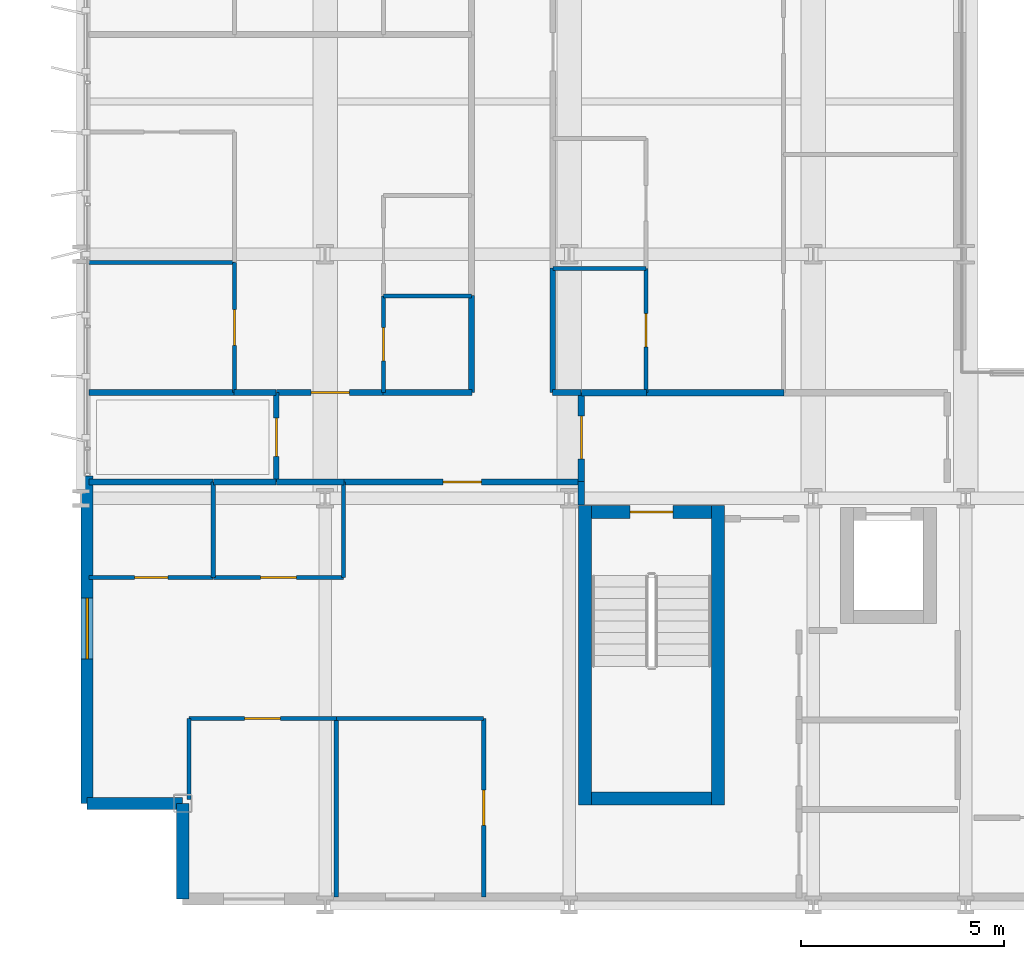
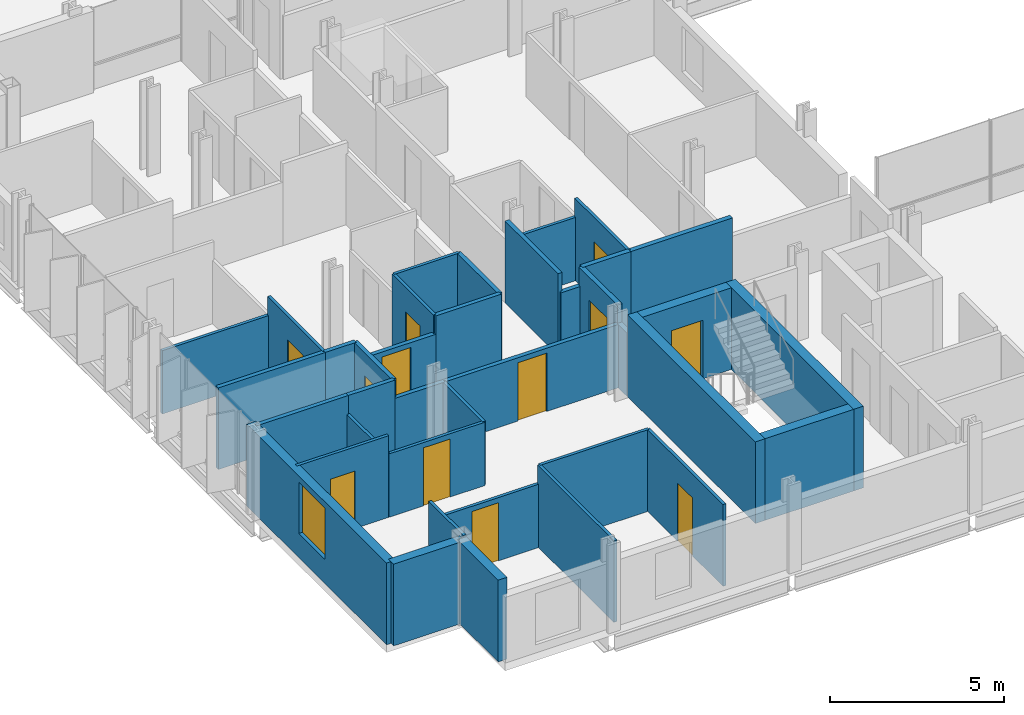
# One storey, part 27 of 38: 38 walls, 12 doors, 1 window, 13 openings.
"""IFC4 building model written with IfcOpenShell, lengths in metres."""

from ifc_helpers import new_model, si_unit, direction, frame, frame_2d, origin, place, context, subcontext, project, spatial, rectangle, extrude, material, layer, layer_set, type_object, element, fill, save


model = new_model("IFC4")

# Units and contexts
model_context = context("Model", 3, precision=1e-05, world=origin(), true_north=direction((0.0, 1.0)))
body_context = subcontext(model_context, "Body", "Model", "MODEL_VIEW")
ifc_project = project(units=[si_unit("LENGTHUNIT", "METRE"), si_unit("AREAUNIT", "SQUARE_METRE"), si_unit("VOLUMEUNIT", "CUBIC_METRE"), si_unit("PLANEANGLEUNIT", "RADIAN"), si_unit("MASSUNIT", "GRAM", prefix="KILO")], contexts=[model_context])

# Site, building, storey
site_placement = place(None, origin())
site = spatial("IfcSite", under=ifc_project, at=site_placement, CompositionType="ELEMENT")
building_placement = place(site_placement, origin())
building = spatial("IfcBuilding", under=site, at=building_placement, Name="Brevholm Reach", CompositionType="ELEMENT")
storey_placement = place(building_placement, frame((0.0, 0.0, 28.0)))
storey = spatial("IfcBuildingStorey", under=building, at=storey_placement, Name="L06", CompositionType="ELEMENT", Elevation=28.0)

# Walls
ifc_material_1 = material(Name="Concrete C60/75", Category="concrete")
ifc_layer_1 = layer(ifc_material_1, 0.320068359375)
ifc_layer_set_1 = layer_set([ifc_layer_1], Name="Concrete C60/75")
wall_type_1 = type_object("IfcWallType", Name="WAL-COR-320", PredefinedType="SHEAR", material=ifc_layer_set_1)
for number, where, z_axis, x_axis, name in (
    (1, (12.389892578125, 2.4599609375, 0.0), (0.0, 0.0, 1.0), (0.0, 1.0, 0.0), "L06 Escape Stair ST-1 Core Wall W"),
    (2, (15.659912109375, 2.4599609375, 0.0), (0.0, 0.0, 1.0), (0.0, 1.0, 0.0), "L06 Escape Stair ST-1 Core Wall E"),
):
    element("IfcWall", number, at=place(storey_placement, frame(where, z_axis=z_axis, x_axis=x_axis)), inside=storey, type_object=wall_type_1, Name=name, PredefinedType="SHEAR", context=body_context, shape_type="SweptSolid", body=[
        extrude(rectangle(XDim=7.360107421875, YDim=0.320068359375, at=frame_2d((3.68017578125, 0.0))), origin(), (0.0, 0.0, 1.0), 2.8701171875),
    ])
wall_1_placement = place(storey_placement, frame((12.550048828125, 2.6201171875, 0.0), z_axis=(0.0, 0.0, 1.0), x_axis=(1.0, 0.0, 0.0)))
element("IfcWall", 3, at=wall_1_placement, inside=storey, type_object=wall_type_1, Name="L06 Escape Stair ST-1 Core Wall S", PredefinedType="SHEAR", context=body_context, shape_type="SweptSolid", body=[
    extrude(rectangle(XDim=2.949951171875, YDim=0.320068359375, at=frame_2d((1.47509765625, 0.0))), origin(), (0.0, 0.0, 1.0), 2.8701171875),
])

# Wall, opening, door
wall_2_placement = place(storey_placement, frame((15.5, 9.659912109375, 0.0), z_axis=(0.0, 0.0, 1.0), x_axis=(-1.0, 0.0, 0.0)))
wall_2 = element("IfcWall", 4, at=wall_2_placement, inside=storey, type_object=wall_type_1, Name="L06 Escape Stair ST-1 Core Wall N", PredefinedType="SHEAR", context=body_context, shape_type="SweptSolid", body=[
    extrude(rectangle(XDim=2.949951171875, YDim=0.320068359375, at=frame_2d((1.47509765625, 0.0))), origin(), (0.0, 0.0, 1.0), 2.8701171875),
])
opening_1_placement = place(wall_2_placement, frame((0.949951171875, 0.0, 0.0)))
opening_1 = element("IfcOpeningElement", 5, at=opening_1_placement, cuts=wall_2, Name="Opening SD-ST-1", PredefinedType="OPENING", context=body_context, shape_type="SweptSolid", body=[
    extrude(rectangle(XDim=1.050048828125, YDim=2.06005859375, at=frame_2d((0.52490234375, 1.030029296875))), frame((0.0, 0.169921875, 0.0), z_axis=(0.0, -1.0, 0.0), x_axis=(1.0, 0.0, 0.0)), (0.0, 0.0, 1.0), 0.340087890625),
])
ifc_material_2 = material(Name="Hardwood-Lipped Steel-Core Fire and Smoke Door", Category="steel")
door_type_1 = type_object("IfcDoorType", Name="DOR-INT-FD60S", OperationType="NOTDEFINED", PredefinedType="DOOR", material=ifc_material_2)
door_1_placement = place(opening_1_placement, origin())
door_1 = element("IfcDoor", 6, at=door_1_placement, inside=storey, type_object=door_type_1, Name="L06 Protected Stair ST-1 Lobby Door", OperationType="SINGLE_SWING_RIGHT", OverallHeight=2.06005859375, OverallWidth=1.050048828125, PredefinedType="DOOR", context=body_context, shape_type="SweptSolid", body=[
    extrude(rectangle(XDim=1.050048828125, YDim=2.06005859375, at=frame_2d((0.52490234375, 1.030029296875))), frame((0.0, 0.02490234375, 0.0), z_axis=(0.0, -1.0, 0.0), x_axis=(1.0, 0.0, 0.0)), (0.0, 0.0, 1.0), 0.050048828125),
])
fill(opening_1, door_1)

# Walls
ifc_material_3 = material(Name="Concrete C40/50", Category="concrete")
ifc_layer_2 = layer(ifc_material_3, 0.300048828125)
ifc_layer_set_2 = layer_set([ifc_layer_2], Name="Concrete C40/50")
wall_type_2 = type_object("IfcWallType", Name="WAL-EXT-300", PredefinedType="STANDARD", material=ifc_layer_set_2)
for number, where, z_axis, x_axis, name in (
    (7, (2.5, 2.5, 0.0), (0.0, 0.0, 1.0), (0.0, -1.0, 0.0), "L06 Facade Wall WAL-L06-CSW1"),
    (8, (0.14990234375, 2.5, 0.0), (0.0, 0.0, 1.0), (1.0, 0.0, 0.0), "L06 Facade Wall WAL-L06-CSW2"),
):
    element("IfcWall", number, at=place(storey_placement, frame(where, z_axis=z_axis, x_axis=x_axis)), inside=storey, type_object=wall_type_2, Name=name, PredefinedType="STANDARD", context=body_context, shape_type="SweptSolid", body=[
        extrude(rectangle(XDim=2.35009765625, YDim=0.300048828125, at=frame_2d((1.175048828125, 0.0))), origin(), (0.0, 0.0, 1.0), 2.8701171875),
    ])

# Wall, opening, window
wall_3_placement = place(storey_placement, frame((0.14990234375, 10.550048828125, 0.0), z_axis=(0.0, 0.0, 1.0), x_axis=(0.0, -1.0, 0.0)))
wall_3 = element("IfcWall", 9, at=wall_3_placement, inside=storey, type_object=wall_type_2, Name="L06 Facade Wall WAL-L06-W-S", PredefinedType="STANDARD", context=body_context, shape_type="SweptSolid", body=[
    extrude(rectangle(XDim=8.050048828125, YDim=0.300048828125, at=frame_2d((4.02490234375, 0.0))), origin(), (0.0, 0.0, 1.0), 2.8701171875),
])
opening_2_placement = place(wall_3_placement, frame((3.0, 0.0, 0.85009765625)))
opening_2 = element("IfcOpeningElement", 10, at=opening_2_placement, cuts=wall_3, Name="Opening WN-05", PredefinedType="OPENING", context=body_context, shape_type="SweptSolid", body=[
    extrude(rectangle(XDim=1.5, YDim=1.800048828125, at=frame_2d((0.75, 0.89990234375))), frame((0.0, 0.159912109375, 0.0), z_axis=(0.0, -1.0, 0.0), x_axis=(1.0, 0.0, 0.0)), (0.0, 0.0, 1.0), 0.320068359375),
])
ifc_material_4 = material(Name="Dark Anodised Aluminium and Solar-Control IGU Glass", Category="aluminium")
window_type = type_object("IfcWindowType", Name="WIN-RES-1500", PartitioningType="SINGLE_PANEL", PredefinedType="WINDOW", material=ifc_material_4)
window_placement = place(opening_2_placement, origin())
window = element("IfcWindow", 11, at=window_placement, inside=storey, type_object=window_type, Name="L06 Window WIN-L06-WS-1", OverallHeight=1.800048828125, OverallWidth=1.5, PartitioningType="SINGLE_PANEL", PredefinedType="WINDOW", context=body_context, shape_type="SweptSolid", body=[
    extrude(rectangle(XDim=1.5, YDim=1.800048828125, at=frame_2d((0.75, 0.89990234375))), frame((0.0, 0.030029296875, 0.0), z_axis=(0.0, -1.0, 0.0), x_axis=(1.0, 0.0, 0.0)), (0.0, 0.0, 1.0), 0.06005859375),
])
fill(opening_2, window)

# Wall
ifc_material_5 = material(Name="Moisture-Resistant Acoustic Gypsum Stud Partition 100 mm", Category="gypsum")
ifc_layer_3 = layer(ifc_material_5, 0.10009765625)
ifc_layer_set_3 = layer_set([ifc_layer_3], Name="Moisture-Resistant Acoustic Gypsum Stud Partition 100 mm")
wall_type_3 = type_object("IfcWallType", Name="WAL-PRT-100", PredefinedType="PARTITIONING", material=ifc_layer_set_3)
wall_4_placement = place(storey_placement, frame((3.25, 8.053955078125, 0.0), z_axis=(0.0, 0.0, 1.0), x_axis=(0.0, 1.0, 0.0)))
element("IfcWall", 12, at=wall_4_placement, inside=storey, type_object=wall_type_3, Name="L06 Internal Partition 066", PredefinedType="PARTITIONING", context=body_context, shape_type="SweptSolid", body=[
    extrude(rectangle(XDim=2.345947265625, YDim=0.10009765625, at=frame_2d((1.1728515625, 0.0))), origin(), (0.0, 0.0, 1.0), 2.224853515625),
])

# Wall, opening, door
wall_5_placement = place(storey_placement, frame((0.199951171875, 8.053955078125, 0.0), z_axis=(0.0, 0.0, 1.0), x_axis=(1.0, 0.0, 0.0)))
wall_5 = element("IfcWall", 13, at=wall_5_placement, inside=storey, type_object=wall_type_3, Name="L06 Internal Partition 067", PredefinedType="PARTITIONING", context=body_context, shape_type="SweptSolid", body=[
    extrude(rectangle(XDim=3.050048828125, YDim=0.10009765625, at=frame_2d((1.52490234375, 0.0))), origin(), (0.0, 0.0, 1.0), 2.8701171875),
])
opening_3_placement = place(wall_5_placement, frame((1.114990234375, 0.0, 0.0)))
opening_3 = element("IfcOpeningElement", 14, at=opening_3_placement, cuts=wall_5, Name="Opening ID-03", PredefinedType="OPENING", context=body_context, shape_type="SweptSolid", body=[
    extrude(rectangle(XDim=0.820068359375, YDim=2.02001953125, at=frame_2d((0.41015625, 1.010009765625))), frame((0.0, 0.06005859375, 0.0), z_axis=(0.0, -1.0, 0.0), x_axis=(1.0, 0.0, 0.0)), (0.0, 0.0, 1.0), 0.1201171875),
])
ifc_material_6 = material(Name="Moisture-Resistant Painted Timber Internal Bathroom Door", Category="wood")
door_type_2 = type_object("IfcDoorType", Name="DOR-BATH-820", OperationType="NOTDEFINED", PredefinedType="DOOR", material=ifc_material_6)
door_2_placement = place(opening_3_placement, origin())
door_2 = element("IfcDoor", 15, at=door_2_placement, inside=storey, type_object=door_type_2, Name="L06 Internal Door 024", OperationType="SINGLE_SWING_LEFT", OverallHeight=2.02001953125, OverallWidth=0.820068359375, PredefinedType="DOOR", context=body_context, shape_type="SweptSolid", body=[
    extrude(rectangle(XDim=0.820068359375, YDim=2.02001953125, at=frame_2d((0.41015625, 1.010009765625))), frame((0.0, 0.02490234375, 0.0), z_axis=(0.0, -1.0, 0.0), x_axis=(1.0, 0.0, 0.0)), (0.0, 0.0, 1.0), 0.050048828125),
])
fill(opening_3, door_2)

wall_6_placement = place(storey_placement, frame((3.25390625, 8.053955078125, 0.0), z_axis=(0.0, 0.0, 1.0), x_axis=(1.0, 0.0, 0.0)))
wall_6 = element("IfcWall", 16, at=wall_6_placement, inside=storey, type_object=wall_type_3, Name="L06 Internal Partition 069", PredefinedType="PARTITIONING", context=body_context, shape_type="SweptSolid", body=[
    extrude(rectangle(XDim=3.196044921875, YDim=0.10009765625, at=frame_2d((1.59814453125, 0.0))), origin(), (0.0, 0.0, 1.0), 2.224853515625),
])
opening_4_placement = place(wall_6_placement, frame((1.157958984375, 0.0, 0.0)))
opening_4 = element("IfcOpeningElement", 17, at=opening_4_placement, cuts=wall_6, Name="Opening ID-01", PredefinedType="OPENING", context=body_context, shape_type="SweptSolid", body=[
    extrude(rectangle(XDim=0.8798828125, YDim=2.0400390625, at=frame_2d((0.43994140625, 1.02001953125))), frame((0.0, 0.06005859375, 0.0), z_axis=(0.0, -1.0, 0.0), x_axis=(1.0, 0.0, 0.0)), (0.0, 0.0, 1.0), 0.1201171875),
])
ifc_material_7 = material(Name="Lacquered Ash Solid-Core Acoustic Internal Door", Category="timber")
door_type_3 = type_object("IfcDoorType", Name="DOR-INT-880", OperationType="NOTDEFINED", PredefinedType="DOOR", material=ifc_material_7)
door_3_placement = place(opening_4_placement, origin())
door_3 = element("IfcDoor", 18, at=door_3_placement, inside=storey, type_object=door_type_3, Name="L06 Internal Door 025", OperationType="SINGLE_SWING_RIGHT", OverallHeight=2.0400390625, OverallWidth=0.8798828125, PredefinedType="DOOR", context=body_context, shape_type="SweptSolid", body=[
    extrude(rectangle(XDim=0.8798828125, YDim=2.0400390625, at=frame_2d((0.43994140625, 1.02001953125))), frame((0.0, 0.02490234375, 0.0), z_axis=(0.0, -1.0, 0.0), x_axis=(1.0, 0.0, 0.0)), (0.0, 0.0, 1.0), 0.050048828125),
])
fill(opening_4, door_3)

# Walls
wall_7_placement = place(storey_placement, frame((6.449951171875, 8.053955078125, 0.0), z_axis=(0.0, 0.0, 1.0), x_axis=(0.0, 1.0, 0.0)))
element("IfcWall", 19, at=wall_7_placement, inside=storey, type_object=wall_type_3, Name="L06 Internal Partition 070", PredefinedType="PARTITIONING", context=body_context, shape_type="SweptSolid", body=[
    extrude(rectangle(XDim=2.342041015625, YDim=0.10009765625, at=frame_2d((1.1708984375, 0.0))), origin(), (0.0, 0.0, 1.0), 2.224853515625),
])
wall_8_placement = place(storey_placement, frame((6.27490234375, 0.199951171875, 0.0), z_axis=(0.0, 0.0, 1.0), x_axis=(0.0, 1.0, 0.0)))
element("IfcWall", 20, at=wall_8_placement, inside=storey, type_object=wall_type_3, Name="L06 Internal Partition 072", PredefinedType="PARTITIONING", context=body_context, shape_type="SweptSolid", body=[
    extrude(rectangle(XDim=4.385986328125, YDim=0.10009765625, at=frame_2d((2.19287109375, 0.0))), origin(), (0.0, 0.0, 1.0), 2.8701171875),
])
wall_9_placement = place(storey_placement, frame((2.64990234375, 2.599365234375, 0.0), z_axis=(0.0, 0.0, 1.0), x_axis=(0.0, 1.0, 0.0)))
element("IfcWall", 21, at=wall_9_placement, inside=storey, type_object=wall_type_3, Name="L06 Internal Partition 073", PredefinedType="PARTITIONING", context=body_context, shape_type="SweptSolid", body=[
    extrude(rectangle(XDim=1.986572265625, YDim=0.10009765625, at=frame_2d((0.9931640625, 0.0))), origin(), (0.0, 0.0, 1.0), 2.8701171875),
])

# Wall, opening, door
wall_10_placement = place(storey_placement, frame((2.64990234375, 4.5859375, 0.0), z_axis=(0.0, 0.0, 1.0), x_axis=(1.0, 0.0, 0.0)))
wall_10 = element("IfcWall", 22, at=wall_10_placement, inside=storey, type_object=wall_type_3, Name="L06 Internal Partition 074", PredefinedType="PARTITIONING", context=body_context, shape_type="SweptSolid", body=[
    extrude(rectangle(XDim=3.625, YDim=0.10009765625, at=frame_2d((1.8125, 0.0))), origin(), (0.0, 0.0, 1.0), 2.224853515625),
])
opening_5_placement = place(wall_10_placement, frame((1.37255859375, 0.0, 0.0)))
opening_5 = element("IfcOpeningElement", 23, at=opening_5_placement, cuts=wall_10, Name="Opening ID-01", PredefinedType="OPENING", context=body_context, shape_type="SweptSolid", body=[
    extrude(rectangle(XDim=0.8798828125, YDim=2.0400390625, at=frame_2d((0.43994140625, 1.02001953125))), frame((0.0, 0.06005859375, 0.0), z_axis=(0.0, -1.0, 0.0), x_axis=(1.0, 0.0, 0.0)), (0.0, 0.0, 1.0), 0.1201171875),
])
door_4_placement = place(opening_5_placement, origin())
door_4 = element("IfcDoor", 24, at=door_4_placement, inside=storey, type_object=door_type_3, Name="L06 Internal Door 026", OperationType="SINGLE_SWING_LEFT", OverallHeight=2.0400390625, OverallWidth=0.8798828125, PredefinedType="DOOR", context=body_context, shape_type="SweptSolid", body=[
    extrude(rectangle(XDim=0.8798828125, YDim=2.0400390625, at=frame_2d((0.43994140625, 1.02001953125))), frame((0.0, 0.02490234375, 0.0), z_axis=(0.0, -1.0, 0.0), x_axis=(1.0, 0.0, 0.0)), (0.0, 0.0, 1.0), 0.050048828125),
])
fill(opening_5, door_4)

wall_11_placement = place(storey_placement, frame((9.89990234375, 0.199951171875, 0.0), z_axis=(0.0, 0.0, 1.0), x_axis=(0.0, 1.0, 0.0)))
wall_11 = element("IfcWall", 25, at=wall_11_placement, inside=storey, type_object=wall_type_3, Name="L06 Internal Partition 075", PredefinedType="PARTITIONING", context=body_context, shape_type="SweptSolid", body=[
    extrude(rectangle(XDim=4.385986328125, YDim=0.10009765625, at=frame_2d((2.19287109375, 0.0))), origin(), (0.0, 0.0, 1.0), 2.8701171875),
])
opening_6_placement = place(wall_11_placement, frame((1.7529296875, 0.0, 0.0)))
opening_6 = element("IfcOpeningElement", 26, at=opening_6_placement, cuts=wall_11, Name="Opening ID-01", PredefinedType="OPENING", context=body_context, shape_type="SweptSolid", body=[
    extrude(rectangle(XDim=0.8798828125, YDim=2.0400390625, at=frame_2d((0.43994140625, 1.02001953125))), frame((0.0, 0.06005859375, 0.0), z_axis=(0.0, -1.0, 0.0), x_axis=(1.0, 0.0, 0.0)), (0.0, 0.0, 1.0), 0.1201171875),
])
door_5_placement = place(opening_6_placement, origin())
door_5 = element("IfcDoor", 27, at=door_5_placement, inside=storey, type_object=door_type_3, Name="L06 Internal Door 027", OperationType="SINGLE_SWING_RIGHT", OverallHeight=2.0400390625, OverallWidth=0.8798828125, PredefinedType="DOOR", context=body_context, shape_type="SweptSolid", body=[
    extrude(rectangle(XDim=0.8798828125, YDim=2.0400390625, at=frame_2d((0.43994140625, 1.02001953125))), frame((0.0, 0.02490234375, 0.0), z_axis=(0.0, -1.0, 0.0), x_axis=(1.0, 0.0, 0.0)), (0.0, 0.0, 1.0), 0.050048828125),
])
fill(opening_6, door_5)

# Walls
wall_12_placement = place(storey_placement, frame((6.279052734375, 4.5859375, 0.0), z_axis=(0.0, 0.0, 1.0), x_axis=(1.0, 0.0, 0.0)))
element("IfcWall", 28, at=wall_12_placement, inside=storey, type_object=wall_type_3, Name="L06 Internal Partition 076", PredefinedType="PARTITIONING", context=body_context, shape_type="SweptSolid", body=[
    extrude(rectangle(XDim=3.620849609375, YDim=0.10009765625, at=frame_2d((1.810546875, 0.0))), origin(), (0.0, 0.0, 1.0), 2.8701171875),
])
wall_13_placement = place(storey_placement, frame((7.43798828125, 14.97607421875, 0.0), z_axis=(0.0, 0.0, 1.0), x_axis=(1.0, 0.0, 0.0)))
element("IfcWall", 29, at=wall_13_placement, inside=storey, type_object=wall_type_3, Name="L06 Internal Partition 091", PredefinedType="PARTITIONING", context=body_context, shape_type="SweptSolid", body=[
    extrude(rectangle(XDim=2.157958984375, YDim=0.10009765625, at=frame_2d((1.0791015625, 0.0))), origin(), (0.0, 0.0, 1.0), 2.8701171875),
])

# Wall, opening, door
wall_14_placement = place(storey_placement, frame((7.43798828125, 12.60400390625, 0.0), z_axis=(0.0, 0.0, 1.0), x_axis=(0.0, 1.0, 0.0)))
wall_14 = element("IfcWall", 30, at=wall_14_placement, inside=storey, type_object=wall_type_3, Name="L06 Internal Partition 092", PredefinedType="PARTITIONING", context=body_context, shape_type="SweptSolid", body=[
    extrude(rectangle(XDim=2.3720703125, YDim=0.10009765625, at=frame_2d((1.18603515625, 0.0))), origin(), (0.0, 0.0, 1.0), 2.8701171875),
])
opening_7_placement = place(wall_14_placement, frame((0.77587890625, 0.0, 0.0)))
opening_7 = element("IfcOpeningElement", 31, at=opening_7_placement, cuts=wall_14, Name="Opening ID-03", PredefinedType="OPENING", context=body_context, shape_type="SweptSolid", body=[
    extrude(rectangle(XDim=0.820068359375, YDim=2.02001953125, at=frame_2d((0.41015625, 1.010009765625))), frame((0.0, 0.06005859375, 0.0), z_axis=(0.0, -1.0, 0.0), x_axis=(1.0, 0.0, 0.0)), (0.0, 0.0, 1.0), 0.1201171875),
])
door_6_placement = place(opening_7_placement, origin())
door_6 = element("IfcDoor", 32, at=door_6_placement, inside=storey, type_object=door_type_2, Name="L06 Internal Door 032", OperationType="SINGLE_SWING_LEFT", OverallHeight=2.02001953125, OverallWidth=0.820068359375, PredefinedType="DOOR", context=body_context, shape_type="SweptSolid", body=[
    extrude(rectangle(XDim=0.820068359375, YDim=2.02001953125, at=frame_2d((0.41015625, 1.010009765625))), frame((0.0, 0.02490234375, 0.0), z_axis=(0.0, -1.0, 0.0), x_axis=(1.0, 0.0, 0.0)), (0.0, 0.0, 1.0), 0.050048828125),
])
fill(opening_7, door_6)

# Wall
wall_15_placement = place(storey_placement, frame((0.199951171875, 15.800048828125, 0.0), z_axis=(0.0, 0.0, 1.0), x_axis=(1.0, 0.0, 0.0)))
element("IfcWall", 33, at=wall_15_placement, inside=storey, type_object=wall_type_3, Name="L06 Internal Partition 095", PredefinedType="PARTITIONING", context=body_context, shape_type="SweptSolid", body=[
    extrude(rectangle(XDim=3.572021484375, YDim=0.10009765625, at=frame_2d((1.7861328125, 0.0))), origin(), (0.0, 0.0, 1.0), 2.224853515625),
])

# Wall, opening, door
wall_16_placement = place(storey_placement, frame((3.77197265625, 12.60400390625, 0.0), z_axis=(0.0, 0.0, 1.0), x_axis=(0.0, 1.0, 0.0)))
wall_16 = element("IfcWall", 34, at=wall_16_placement, inside=storey, type_object=wall_type_3, Name="L06 Internal Partition 096", PredefinedType="PARTITIONING", context=body_context, shape_type="SweptSolid", body=[
    extrude(rectangle(XDim=3.196044921875, YDim=0.10009765625, at=frame_2d((1.59814453125, 0.0))), origin(), (0.0, 0.0, 1.0), 2.8701171875),
])
opening_8_placement = place(wall_16_placement, frame((1.157958984375, 0.0, 0.0)))
opening_8 = element("IfcOpeningElement", 35, at=opening_8_placement, cuts=wall_16, Name="Opening ID-01", PredefinedType="OPENING", context=body_context, shape_type="SweptSolid", body=[
    extrude(rectangle(XDim=0.8798828125, YDim=2.0400390625, at=frame_2d((0.43994140625, 1.02001953125))), frame((0.0, 0.06005859375, 0.0), z_axis=(0.0, -1.0, 0.0), x_axis=(1.0, 0.0, 0.0)), (0.0, 0.0, 1.0), 0.1201171875),
])
door_7_placement = place(opening_8_placement, origin())
door_7 = element("IfcDoor", 36, at=door_7_placement, inside=storey, type_object=door_type_3, Name="L06 Internal Door 034", OperationType="SINGLE_SWING_LEFT", OverallHeight=2.0400390625, OverallWidth=0.8798828125, PredefinedType="DOOR", context=body_context, shape_type="SweptSolid", body=[
    extrude(rectangle(XDim=0.8798828125, YDim=2.0400390625, at=frame_2d((0.43994140625, 1.02001953125))), frame((0.0, 0.02490234375, 0.0), z_axis=(0.0, -1.0, 0.0), x_axis=(1.0, 0.0, 0.0)), (0.0, 0.0, 1.0), 0.050048828125),
])
fill(opening_8, door_7)

# Wall
wall_17_placement = place(storey_placement, frame((11.60400390625, 15.64990234375, 0.0), z_axis=(0.0, 0.0, 1.0), x_axis=(1.0, 0.0, 0.0)))
element("IfcWall", 37, at=wall_17_placement, inside=storey, type_object=wall_type_3, Name="L06 Internal Partition 108", PredefinedType="PARTITIONING", context=body_context, shape_type="SweptSolid", body=[
    extrude(rectangle(XDim=2.284912109375, YDim=0.10009765625, at=frame_2d((1.142578125, 0.0))), origin(), (0.0, 0.0, 1.0), 2.224853515625),
])

# Wall, opening, door
wall_18_placement = place(storey_placement, frame((13.888916015625, 12.60400390625, 0.0), z_axis=(0.0, 0.0, 1.0), x_axis=(0.0, 1.0, 0.0)))
wall_18 = element("IfcWall", 38, at=wall_18_placement, inside=storey, type_object=wall_type_3, Name="L06 Internal Partition 109", PredefinedType="PARTITIONING", context=body_context, shape_type="SweptSolid", body=[
    extrude(rectangle(XDim=3.0458984375, YDim=0.10009765625, at=frame_2d((1.52294921875, 0.0))), origin(), (0.0, 0.0, 1.0), 2.8701171875),
])
opening_9_placement = place(wall_18_placement, frame((1.113037109375, 0.0, 0.0)))
opening_9 = element("IfcOpeningElement", 39, at=opening_9_placement, cuts=wall_18, Name="Opening ID-03", PredefinedType="OPENING", context=body_context, shape_type="SweptSolid", body=[
    extrude(rectangle(XDim=0.820068359375, YDim=2.02001953125, at=frame_2d((0.41015625, 1.010009765625))), frame((0.0, 0.06005859375, 0.0), z_axis=(0.0, -1.0, 0.0), x_axis=(1.0, 0.0, 0.0)), (0.0, 0.0, 1.0), 0.1201171875),
])
door_8_placement = place(opening_9_placement, origin())
door_8 = element("IfcDoor", 40, at=door_8_placement, inside=storey, type_object=door_type_2, Name="L06 Internal Door 039", OperationType="SINGLE_SWING_RIGHT", OverallHeight=2.02001953125, OverallWidth=0.820068359375, PredefinedType="DOOR", context=body_context, shape_type="SweptSolid", body=[
    extrude(rectangle(XDim=0.820068359375, YDim=2.02001953125, at=frame_2d((0.41015625, 1.010009765625))), frame((0.0, 0.02490234375, 0.0), z_axis=(0.0, -1.0, 0.0), x_axis=(1.0, 0.0, 0.0)), (0.0, 0.0, 1.0), 0.050048828125),
])
fill(opening_9, door_8)

# Wall
ifc_material_8 = material(Name="Twin-Stud Acoustic Fire-Rated Gypsum Partition 140 mm", Category="gypsum")
ifc_layer_4 = layer(ifc_material_8, 0.139892578125)
ifc_layer_set_4 = layer_set([ifc_layer_4], Name="Twin-Stud Acoustic Fire-Rated Gypsum Partition 140 mm")
wall_type_4 = type_object("IfcWallType", Name="WAL-PRT-140", PredefinedType="PARTITIONING", material=ifc_layer_set_4)
wall_19_placement = place(storey_placement, frame((4.800048828125, 10.39990234375, 0.0), z_axis=(0.0, 0.0, 1.0), x_axis=(1.0, 0.0, 0.0)))
element("IfcWall", 41, at=wall_19_placement, inside=storey, type_object=wall_type_4, Name="L06 Internal Partition 029", PredefinedType="PARTITIONING", context=body_context, shape_type="SweptSolid", body=[
    extrude(rectangle(XDim=1.6611328125, YDim=0.139892578125, at=frame_2d((0.83056640625, 0.0))), origin(), (0.0, 0.0, 1.0), 2.224853515625),
])

# Wall, opening, door
wall_20_placement = place(storey_placement, frame((6.442626953125, 10.39990234375, 0.0), z_axis=(0.0, 0.0, 1.0), x_axis=(1.0, 0.0, 0.0)))
wall_20 = element("IfcWall", 42, at=wall_20_placement, inside=storey, type_object=wall_type_4, Name="L06 Internal Partition 030", PredefinedType="PARTITIONING", context=body_context, shape_type="SweptSolid", body=[
    extrude(rectangle(XDim=5.853271484375, YDim=0.139892578125, at=frame_2d((2.9267578125, 0.0))), origin(), (0.0, 0.0, 1.0), 2.224853515625),
])
opening_10_placement = place(wall_20_placement, frame((2.45166015625, 0.0, 0.0)))
opening_10 = element("IfcOpeningElement", 43, at=opening_10_placement, cuts=wall_20, Name="Opening ID-30", PredefinedType="OPENING", context=body_context, shape_type="SweptSolid", body=[
    extrude(rectangle(XDim=0.949951171875, YDim=2.050048828125, at=frame_2d((0.47509765625, 1.02490234375))), frame((0.0, 0.079833984375, 0.0), z_axis=(0.0, -1.0, 0.0), x_axis=(1.0, 0.0, 0.0)), (0.0, 0.0, 1.0), 0.159912109375),
])
ifc_material_9 = material(Name="European Oak Veneered Solid-Core Fire Entrance Door", Category="timber")
door_type_4 = type_object("IfcDoorType", Name="DOR-FLT-FD30S", OperationType="NOTDEFINED", PredefinedType="DOOR", material=ifc_material_9)
door_9_placement = place(opening_10_placement, origin())
door_9 = element("IfcDoor", 44, at=door_9_placement, inside=storey, type_object=door_type_4, Name="L06 Internal Door 015", OperationType="SINGLE_SWING_RIGHT", OverallHeight=2.050048828125, OverallWidth=0.949951171875, PredefinedType="DOOR", context=body_context, shape_type="SweptSolid", body=[
    extrude(rectangle(XDim=0.949951171875, YDim=2.050048828125, at=frame_2d((0.47509765625, 1.02490234375))), frame((0.0, 0.02490234375, 0.0), z_axis=(0.0, -1.0, 0.0), x_axis=(1.0, 0.0, 0.0)), (0.0, 0.0, 1.0), 0.050048828125),
])
fill(opening_10, door_9)

wall_21_placement = place(storey_placement, frame((4.800048828125, 10.39990234375, 0.0), z_axis=(0.0, 0.0, 1.0), x_axis=(0.0, 1.0, 0.0)))
wall_21 = element("IfcWall", 45, at=wall_21_placement, inside=storey, type_object=wall_type_4, Name="L06 Internal Partition 031", PredefinedType="PARTITIONING", context=body_context, shape_type="SweptSolid", body=[
    extrude(rectangle(XDim=2.2001953125, YDim=0.139892578125, at=frame_2d((1.10009765625, 0.0))), origin(), (0.0, 0.0, 1.0), 2.8701171875),
])
opening_11_placement = place(wall_21_placement, frame((0.625, 0.0, 0.0)))
opening_11 = element("IfcOpeningElement", 46, at=opening_11_placement, cuts=wall_21, Name="Opening ID-30", PredefinedType="OPENING", context=body_context, shape_type="SweptSolid", body=[
    extrude(rectangle(XDim=0.949951171875, YDim=2.050048828125, at=frame_2d((0.47509765625, 1.02490234375))), frame((0.0, 0.079833984375, 0.0), z_axis=(0.0, -1.0, 0.0), x_axis=(1.0, 0.0, 0.0)), (0.0, 0.0, 1.0), 0.159912109375),
])
door_10_placement = place(opening_11_placement, origin())
door_10 = element("IfcDoor", 47, at=door_10_placement, inside=storey, type_object=door_type_4, Name="L06 Internal Door 016", OperationType="SINGLE_SWING_LEFT", OverallHeight=2.050048828125, OverallWidth=0.949951171875, PredefinedType="DOOR", context=body_context, shape_type="SweptSolid", body=[
    extrude(rectangle(XDim=0.949951171875, YDim=2.050048828125, at=frame_2d((0.47509765625, 1.02490234375))), frame((0.0, 0.02490234375, 0.0), z_axis=(0.0, -1.0, 0.0), x_axis=(1.0, 0.0, 0.0)), (0.0, 0.0, 1.0), 0.050048828125),
])
fill(opening_11, door_10)

# Wall
wall_22_placement = place(storey_placement, frame((7.4267578125, 12.60009765625, 0.0), z_axis=(0.0, 0.0, 1.0), x_axis=(1.0, 0.0, 0.0)))
element("IfcWall", 48, at=wall_22_placement, inside=storey, type_object=wall_type_4, Name="L06 Internal Partition 032", PredefinedType="PARTITIONING", context=body_context, shape_type="SweptSolid", body=[
    extrude(rectangle(XDim=2.1806640625, YDim=0.139892578125, at=frame_2d((1.09033203125, 0.0))), origin(), (0.0, 0.0, 1.0), 2.8701171875),
])

# Wall, opening, door
wall_23_placement = place(storey_placement, frame((4.800048828125, 12.60009765625, 0.0), z_axis=(0.0, 0.0, 1.0), x_axis=(1.0, 0.0, 0.0)))
wall_23 = element("IfcWall", 49, at=wall_23_placement, inside=storey, type_object=wall_type_4, Name="L06 Internal Partition 033", PredefinedType="PARTITIONING", context=body_context, shape_type="SweptSolid", body=[
    extrude(rectangle(XDim=2.645263671875, YDim=0.139892578125, at=frame_2d((1.32275390625, 0.0))), origin(), (0.0, 0.0, 1.0), 2.224853515625),
])
opening_12_placement = place(wall_23_placement, frame((0.84765625, 0.0, 0.0)))
opening_12 = element("IfcOpeningElement", 50, at=opening_12_placement, cuts=wall_23, Name="Opening ID-30", PredefinedType="OPENING", context=body_context, shape_type="SweptSolid", body=[
    extrude(rectangle(XDim=0.949951171875, YDim=2.050048828125, at=frame_2d((0.47509765625, 1.02490234375))), frame((0.0, 0.079833984375, 0.0), z_axis=(0.0, -1.0, 0.0), x_axis=(1.0, 0.0, 0.0)), (0.0, 0.0, 1.0), 0.159912109375),
])
door_11_placement = place(opening_12_placement, origin())
door_11 = element("IfcDoor", 51, at=door_11_placement, inside=storey, type_object=door_type_4, Name="L06 Internal Door 017", OperationType="SINGLE_SWING_RIGHT", OverallHeight=2.050048828125, OverallWidth=0.949951171875, PredefinedType="DOOR", context=body_context, shape_type="SweptSolid", body=[
    extrude(rectangle(XDim=0.949951171875, YDim=2.050048828125, at=frame_2d((0.47509765625, 1.02490234375))), frame((0.0, 0.02490234375, 0.0), z_axis=(0.0, -1.0, 0.0), x_axis=(1.0, 0.0, 0.0)), (0.0, 0.0, 1.0), 0.050048828125),
])
fill(opening_12, door_11)

# Walls
wall_24_placement = place(storey_placement, frame((11.5927734375, 12.60009765625, 0.0), z_axis=(0.0, 0.0, 1.0), x_axis=(1.0, 0.0, 0.0)))
element("IfcWall", 52, at=wall_24_placement, inside=storey, type_object=wall_type_4, Name="L06 Internal Partition 034", PredefinedType="PARTITIONING", context=body_context, shape_type="SweptSolid", body=[
    extrude(rectangle(XDim=0.703125, YDim=0.139892578125, at=frame_2d((0.3515625, 0.0))), origin(), (0.0, 0.0, 1.0), 2.224853515625),
])
wall_25_placement = place(storey_placement, frame((9.60009765625, 12.60400390625, 0.0), z_axis=(0.0, 0.0, 1.0), x_axis=(0.0, 1.0, 0.0)))
element("IfcWall", 53, at=wall_25_placement, inside=storey, type_object=wall_type_4, Name="L06 Internal Partition 038", PredefinedType="PARTITIONING", context=body_context, shape_type="SweptSolid", body=[
    extrude(rectangle(XDim=2.38330078125, YDim=0.139892578125, at=frame_2d((1.191650390625, 0.0))), origin(), (0.0, 0.0, 1.0), 2.8701171875),
])
wall_26_placement = place(storey_placement, frame((11.60009765625, 12.60400390625, 0.0), z_axis=(0.0, 0.0, 1.0), x_axis=(0.0, 1.0, 0.0)))
element("IfcWall", 54, at=wall_26_placement, inside=storey, type_object=wall_type_4, Name="L06 Internal Partition 044", PredefinedType="PARTITIONING", context=body_context, shape_type="SweptSolid", body=[
    extrude(rectangle(XDim=3.057373046875, YDim=0.139892578125, at=frame_2d((1.52880859375, 0.0))), origin(), (0.0, 0.0, 1.0), 2.8701171875),
])
wall_27_placement = place(storey_placement, frame((0.199951171875, 10.39990234375, 0.0), z_axis=(0.0, 0.0, 1.0), x_axis=(1.0, 0.0, 0.0)))
element("IfcWall", 55, at=wall_27_placement, inside=storey, type_object=wall_type_4, Name="L06 Internal Partition 068", PredefinedType="PARTITIONING", context=body_context, shape_type="SweptSolid", body=[
    extrude(rectangle(XDim=3.050048828125, YDim=0.139892578125, at=frame_2d((1.52490234375, 0.0))), origin(), (0.0, 0.0, 1.0), 2.8701171875),
])
wall_28_placement = place(storey_placement, frame((3.25390625, 10.39990234375, 0.0), z_axis=(0.0, 0.0, 1.0), x_axis=(1.0, 0.0, 0.0)))
element("IfcWall", 56, at=wall_28_placement, inside=storey, type_object=wall_type_4, Name="L06 Internal Partition 071", PredefinedType="PARTITIONING", context=body_context, shape_type="SweptSolid", body=[
    extrude(rectangle(XDim=1.5419921875, YDim=0.139892578125, at=frame_2d((0.77099609375, 0.0))), origin(), (0.0, 0.0, 1.0), 2.8701171875),
])
wall_29_placement = place(storey_placement, frame((0.199951171875, 12.60009765625, 0.0), z_axis=(0.0, 0.0, 1.0), x_axis=(1.0, 0.0, 0.0)))
element("IfcWall", 57, at=wall_29_placement, inside=storey, type_object=wall_type_4, Name="L06 Internal Partition 077", PredefinedType="PARTITIONING", context=body_context, shape_type="SweptSolid", body=[
    extrude(rectangle(XDim=3.583251953125, YDim=0.139892578125, at=frame_2d((1.79150390625, 0.0))), origin(), (0.0, 0.0, 1.0), 2.8701171875),
])
wall_30_placement = place(storey_placement, frame((3.7646484375, 12.60009765625, 0.0), z_axis=(0.0, 0.0, 1.0), x_axis=(1.0, 0.0, 0.0)))
element("IfcWall", 58, at=wall_30_placement, inside=storey, type_object=wall_type_4, Name="L06 Internal Partition 078", PredefinedType="PARTITIONING", context=body_context, shape_type="SweptSolid", body=[
    extrude(rectangle(XDim=1.03125, YDim=0.139892578125, at=frame_2d((0.515625, 0.0))), origin(), (0.0, 0.0, 1.0), 2.8701171875),
])

# Wall, opening, door
ifc_material_10 = material(Name="Twin-Frame Fire-Rated Gypsum Board and Mineral Wool 160 mm", Category="gypsum")
ifc_layer_5 = layer(ifc_material_10, 0.159912109375)
ifc_layer_set_5 = layer_set([ifc_layer_5], Name="Twin-Frame Fire-Rated Gypsum Board and Mineral Wool 160 mm")
wall_type_5 = type_object("IfcWallType", Name="WAL-PRT-160", PredefinedType="PARTITIONING", material=ifc_layer_set_5)
wall_31_placement = place(storey_placement, frame((12.300048828125, 10.388671875, 0.0), z_axis=(0.0, 0.0, 1.0), x_axis=(0.0, 1.0, 0.0)))
wall_31 = element("IfcWall", 59, at=wall_31_placement, inside=storey, type_object=wall_type_5, Name="L06 Internal Partition 018", PredefinedType="PARTITIONING", context=body_context, shape_type="SweptSolid", body=[
    extrude(rectangle(XDim=2.21142578125, YDim=0.159912109375, at=frame_2d((1.105712890625, 0.0))), origin(), (0.0, 0.0, 1.0), 2.8701171875),
])
opening_13_placement = place(wall_31_placement, frame((0.58056640625, 0.0, 0.0)))
opening_13 = element("IfcOpeningElement", 60, at=opening_13_placement, cuts=wall_31, Name="Opening FD-01", PredefinedType="OPENING", context=body_context, shape_type="SweptSolid", body=[
    extrude(rectangle(XDim=1.050048828125, YDim=2.06005859375, at=frame_2d((0.52490234375, 1.030029296875))), frame((0.0, 0.08984375, 0.0), z_axis=(0.0, -1.0, 0.0), x_axis=(1.0, 0.0, 0.0)), (0.0, 0.0, 1.0), 0.179931640625),
])
door_12_placement = place(opening_13_placement, origin())
door_12 = element("IfcDoor", 61, at=door_12_placement, inside=storey, type_object=door_type_1, Name="L06 Internal Door 011", OperationType="SINGLE_SWING_RIGHT", OverallHeight=2.06005859375, OverallWidth=1.050048828125, PredefinedType="DOOR", context=body_context, shape_type="SweptSolid", body=[
    extrude(rectangle(XDim=1.050048828125, YDim=2.06005859375, at=frame_2d((0.52490234375, 1.030029296875))), frame((0.0, 0.02490234375, 0.0), z_axis=(0.0, -1.0, 0.0), x_axis=(1.0, 0.0, 0.0)), (0.0, 0.0, 1.0), 0.050048828125),
])
fill(opening_13, door_12)

# Walls
wall_32_placement = place(storey_placement, frame((12.300048828125, 9.830078125, 0.0), z_axis=(0.0, 0.0, 1.0), x_axis=(0.0, 1.0, 0.0)))
element("IfcWall", 62, at=wall_32_placement, inside=storey, type_object=wall_type_5, Name="L06 Internal Partition 020", PredefinedType="PARTITIONING", context=body_context, shape_type="SweptSolid", body=[
    extrude(rectangle(XDim=0.5771484375, YDim=0.159912109375, at=frame_2d((0.28857421875, 0.0))), origin(), (0.0, 0.0, 1.0), 2.224853515625),
])
wall_33_placement = place(storey_placement, frame((12.300048828125, 12.60009765625, 0.0), z_axis=(0.0, 0.0, 1.0), x_axis=(1.0, 0.0, 0.0)))
element("IfcWall", 63, at=wall_33_placement, inside=storey, type_object=wall_type_5, Name="L06 Internal Partition 021", PredefinedType="PARTITIONING", context=body_context, shape_type="SweptSolid", body=[
    extrude(rectangle(XDim=1.600341796875, YDim=0.159912109375, at=frame_2d((0.80029296875, 0.0))), origin(), (0.0, 0.0, 1.0), 2.8701171875),
])
wall_34_placement = place(storey_placement, frame((13.881591796875, 12.60009765625, 0.0), z_axis=(0.0, 0.0, 1.0), x_axis=(1.0, 0.0, 0.0)))
element("IfcWall", 64, at=wall_34_placement, inside=storey, type_object=wall_type_5, Name="L06 Internal Partition 023", PredefinedType="PARTITIONING", context=body_context, shape_type="SweptSolid", body=[
    extrude(rectangle(XDim=3.396728515625, YDim=0.159912109375, at=frame_2d((1.6982421875, 0.0))), origin(), (0.0, 0.0, 1.0), 2.8701171875),
])

save(model, "model.ifc")
